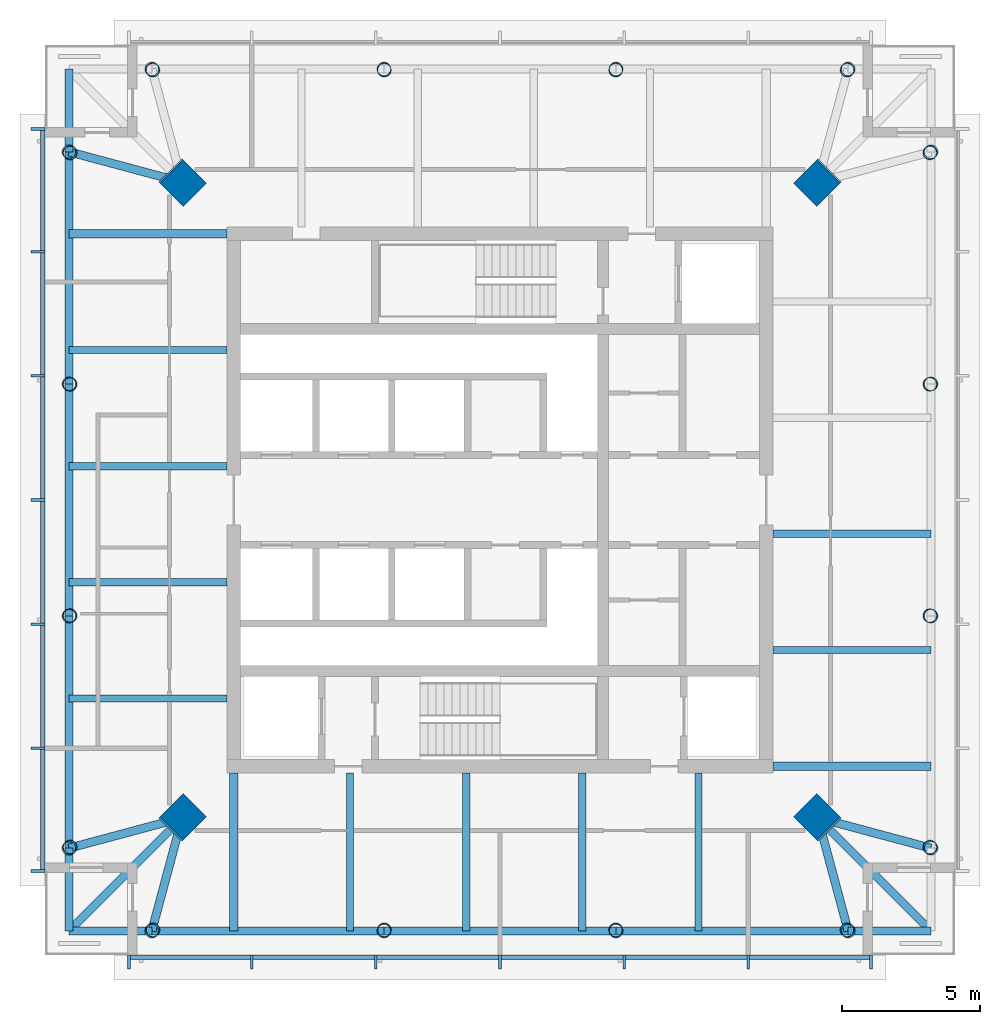
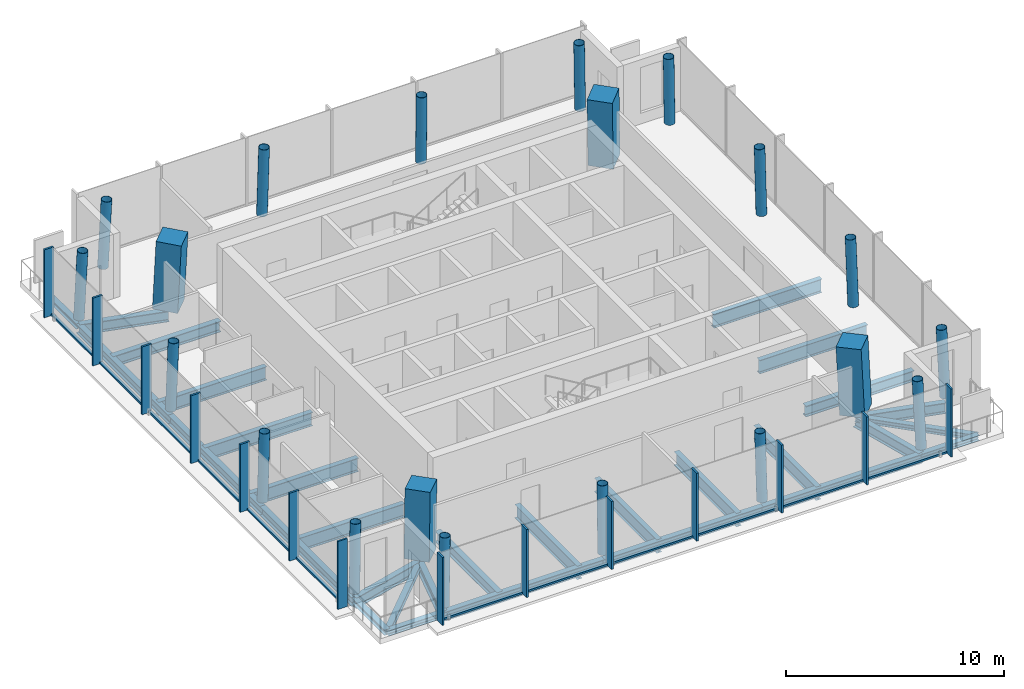
# One storey, part 1 of 8: 30 beams, 26 members, 20 columns, 2 elements without a shape of their own.
"""IFC4 building model written with IfcOpenShell, lengths in metres."""

from ifc_helpers import new_model, si_unit, direction, frame, origin, origin_2d, place, context, subcontext, project, spatial, rectangle, hollow_circle, i_section, extrude, material, material_profile, profile_set, type_object, element, aggregate, save


model = new_model("IFC4")

# Units and contexts
model_context = context("Model", 3, precision=1e-05, world=origin(), true_north=direction((0.0, 1.0)))
body_context = subcontext(model_context, "Body", "Model", "MODEL_VIEW")
ifc_project = project(units=[si_unit("LENGTHUNIT", "METRE"), si_unit("AREAUNIT", "SQUARE_METRE"), si_unit("VOLUMEUNIT", "CUBIC_METRE"), si_unit("PLANEANGLEUNIT", "RADIAN"), si_unit("MASSUNIT", "GRAM", prefix="KILO")], contexts=[model_context])

# Site, building, storey
site_placement = place(None, origin())
site = spatial("IfcSite", under=ifc_project, at=site_placement, CompositionType="ELEMENT")
building_placement = place(site_placement, origin())
building = spatial("IfcBuilding", under=site, at=building_placement, Name="Ostroluk Exchange", CompositionType="ELEMENT")
storey_placement = place(building_placement, frame((0.0, 0.0, 283.199951171875)))
storey = spatial("IfcBuildingStorey", under=building, at=storey_placement, Name="L73", CompositionType="ELEMENT", Elevation=283.199951171875)

# Columns
ifc_material_1 = material(Name="Concrete C50/60", Category="concrete")
ifc_material_profile_1 = material_profile(ifc_material_1, rectangle(XDim=1.199951171875, YDim=1.199951171875, at=origin_2d()), Name="RC 1200x1200")
ifc_profile_set_1 = profile_set([ifc_material_profile_1], Name="Concrete C50/60")
column_type_1 = type_object("IfcColumnType", Name="Mega column RC 1200x1200", PredefinedType="COLUMN", material=ifc_profile_set_1)
for number, where, z_axis, x_axis, name in (
    (1, (56.521484375, 57.521484375, 0.0), (-0.031962158256, -0.031962158256, 0.998977898093), (0.707106781187, -0.707106781187, 0.0), "T1 mega column NE"),
    (2, (33.478515625, 57.521484375, 0.0), (0.031962158256, -0.031962158256, 0.998977898093), (0.707106781187, 0.707106781187, 0.0), "T1 mega column NW"),
    (3, (33.478515625, 34.478515625, 0.0), (0.031962158256, 0.031962158256, 0.998977898093), (-0.707106781187, 0.707106781187, 0.0), "T1 mega column SW"),
    (4, (56.521484375, 34.478515625, 0.0), (-0.031962158256, 0.031962158256, 0.998977898093), (-0.707106781187, -0.707106781187, 0.0), "T1 mega column SE"),
):
    element("IfcColumn", number, at=place(storey_placement, frame(where, z_axis=z_axis, x_axis=x_axis)), inside=storey, type_object=column_type_1, Name=name, PredefinedType="COLUMN", context=body_context, shape_type="SweptSolid", body=[
        extrude(rectangle(XDim=1.199951171875, YDim=1.199951171875, at=origin_2d()), origin(), (0.0, 0.0, 1.0), 3.803955078125),
    ])
ifc_material_2 = material(Name="Steel S460", Category="steel")
ifc_material_profile_2 = material_profile(ifc_material_2, hollow_circle(Radius=0.25390625, WallThickness=0.02001953125, at=origin_2d()), Name="CHS 508x20")
ifc_profile_set_2 = profile_set([ifc_material_profile_2], Name="Steel S460")
column_type_2 = type_object("IfcColumnType", Name="Perimeter column CHS 508x20", PredefinedType="COLUMN", material=ifc_profile_set_2)
for number, where, z_axis, x_axis, name in (
    (5, (60.621337890625, 33.378662109375, 0.0), (-0.031898107953, 0.031898107953, 0.998981992539), (-0.707106781187, -0.707106781187, 0.0), "T1 east face column E0"),
    (6, (60.621337890625, 58.621337890625, 0.0), (-0.031898107953, -0.031898107953, 0.998981992539), (0.707106781187, -0.707106781187, 0.0), "T1 east face column E1"),
):
    element("IfcColumn", number, at=place(storey_placement, frame(where, z_axis=z_axis, x_axis=x_axis)), inside=storey, type_object=column_type_2, Name=name, PredefinedType="COLUMN", context=body_context, shape_type="SweptSolid", body=[
        extrude(hollow_circle(Radius=0.25390625, WallThickness=0.02001953125, at=origin_2d()), origin(), (0.0, 0.0, 1.0), 3.803955078125),
    ])
for number, where, z_axis, x_axis, name in (
    (7, (60.621337890625, 41.79296875, 0.0), (-0.031912557129, 0.010594712125, 0.999434510497), (-0.315081783451, -0.949064523485, 0.0), "T1 east face column I1"),
    (8, (60.621337890625, 50.20703125, 0.0), (-0.031912557129, -0.010594712125, 0.999434510497), (0.315081783451, -0.949064523485, 0.0), "T1 east face column I2"),
):
    element("IfcColumn", number, at=place(storey_placement, frame(where, z_axis=z_axis, x_axis=x_axis)), inside=storey, type_object=column_type_2, Name=name, PredefinedType="COLUMN", context=body_context, shape_type="SweptSolid", body=[
        extrude(hollow_circle(Radius=0.25390625, WallThickness=0.02001953125, at=origin_2d()), origin(), (0.0, 0.0, 1.0), 3.80224609375),
    ])
for number, where, z_axis, x_axis, name in (
    (9, (57.621337890625, 61.621337890625, 0.0), (-0.031898107953, -0.031898107953, 0.998981992539), (0.707106781187, -0.707106781187, 0.0), "T1 north face column E0"),
    (10, (32.378662109375, 61.621337890625, 0.0), (0.031898107953, -0.031898107953, 0.998981992539), (0.707106781187, 0.707106781187, 0.0), "T1 north face column E1"),
):
    element("IfcColumn", number, at=place(storey_placement, frame(where, z_axis=z_axis, x_axis=x_axis)), inside=storey, type_object=column_type_2, Name=name, PredefinedType="COLUMN", context=body_context, shape_type="SweptSolid", body=[
        extrude(hollow_circle(Radius=0.25390625, WallThickness=0.02001953125, at=origin_2d()), origin(), (0.0, 0.0, 1.0), 3.803955078125),
    ])
for number, where, z_axis, x_axis, name in (
    (11, (49.20703125, 61.621337890625, 0.0), (-0.010594712125, -0.031912557129, 0.999434510497), (0.949064523485, -0.315081783451, 0.0), "T1 north face column I1"),
    (12, (40.79296875, 61.621337890625, 0.0), (0.010594712125, -0.031912557129, 0.999434510497), (0.949064523485, 0.315081783451, 0.0), "T1 north face column I2"),
):
    element("IfcColumn", number, at=place(storey_placement, frame(where, z_axis=z_axis, x_axis=x_axis)), inside=storey, type_object=column_type_2, Name=name, PredefinedType="COLUMN", context=body_context, shape_type="SweptSolid", body=[
        extrude(hollow_circle(Radius=0.25390625, WallThickness=0.02001953125, at=origin_2d()), origin(), (0.0, 0.0, 1.0), 3.80224609375),
    ])
for number, where, z_axis, x_axis, name in (
    (13, (29.378662109375, 58.621337890625, 0.0), (0.031898107953, -0.031898107953, 0.998981992539), (0.707106781187, 0.707106781187, 0.0), "T1 west face column E0"),
    (14, (29.378662109375, 33.378662109375, 0.0), (0.031898107953, 0.031898107953, 0.998981992539), (-0.707106781187, 0.707106781187, 0.0), "T1 west face column E1"),
):
    element("IfcColumn", number, at=place(storey_placement, frame(where, z_axis=z_axis, x_axis=x_axis)), inside=storey, type_object=column_type_2, Name=name, PredefinedType="COLUMN", context=body_context, shape_type="SweptSolid", body=[
        extrude(hollow_circle(Radius=0.25390625, WallThickness=0.02001953125, at=origin_2d()), origin(), (0.0, 0.0, 1.0), 3.803955078125),
    ])
for number, where, z_axis, x_axis, name in (
    (15, (29.378662109375, 50.20703125, 0.0), (0.031912557129, -0.010594712125, 0.999434510497), (0.315081783451, 0.949064523485, 0.0), "T1 west face column I1"),
    (16, (29.378662109375, 41.79296875, 0.0), (0.031912557129, 0.010594712125, 0.999434510497), (-0.315081783451, 0.949064523485, 0.0), "T1 west face column I2"),
):
    element("IfcColumn", number, at=place(storey_placement, frame(where, z_axis=z_axis, x_axis=x_axis)), inside=storey, type_object=column_type_2, Name=name, PredefinedType="COLUMN", context=body_context, shape_type="SweptSolid", body=[
        extrude(hollow_circle(Radius=0.25390625, WallThickness=0.02001953125, at=origin_2d()), origin(), (0.0, 0.0, 1.0), 3.80224609375),
    ])
for number, where, z_axis, x_axis, name in (
    (17, (32.378662109375, 30.378662109375, 0.0), (0.031898107953, 0.031898107953, 0.998981992539), (-0.707106781187, 0.707106781187, 0.0), "T1 south face column E0"),
    (18, (57.621337890625, 30.378662109375, 0.0), (-0.031898107953, 0.031898107953, 0.998981992539), (-0.707106781187, -0.707106781187, 0.0), "T1 south face column E1"),
):
    element("IfcColumn", number, at=place(storey_placement, frame(where, z_axis=z_axis, x_axis=x_axis)), inside=storey, type_object=column_type_2, Name=name, PredefinedType="COLUMN", context=body_context, shape_type="SweptSolid", body=[
        extrude(hollow_circle(Radius=0.25390625, WallThickness=0.02001953125, at=origin_2d()), origin(), (0.0, 0.0, 1.0), 3.803955078125),
    ])
for number, where, z_axis, x_axis, name in (
    (19, (40.79296875, 30.378662109375, 0.0), (0.010594712125, 0.031912557129, 0.999434510497), (-0.949064523485, 0.315081783451, 0.0), "T1 south face column I1"),
    (20, (49.20703125, 30.378662109375, 0.0), (-0.010594712125, 0.031912557129, 0.999434510497), (-0.949064523485, -0.315081783451, 0.0), "T1 south face column I2"),
):
    element("IfcColumn", number, at=place(storey_placement, frame(where, z_axis=z_axis, x_axis=x_axis)), inside=storey, type_object=column_type_2, Name=name, PredefinedType="COLUMN", context=body_context, shape_type="SweptSolid", body=[
        extrude(hollow_circle(Radius=0.25390625, WallThickness=0.02001953125, at=origin_2d()), origin(), (0.0, 0.0, 1.0), 3.80224609375),
    ])

# Beams
ifc_material_3 = material(Name="Steel S355", Category="steel")
ifc_material_profile_3 = material_profile(ifc_material_3, i_section(OverallWidth=0.300048828125, OverallDepth=0.300048828125, WebThickness=0.010986328125, FlangeThickness=0.01904296875, FilletRadius=0.027099609375, at=origin_2d()), Name="HEB 300")
ifc_profile_set_3 = profile_set([ifc_material_profile_3], Name="Steel S355")
beam_type_1 = type_object("IfcBeamType", Name="Balcony beam HEB 300", PredefinedType="BEAM", material=ifc_profile_set_3)
for number, where, z_axis, x_axis, name in (
    (21, (29.378662109375, 58.621337890625, -0.449951171875), (0.0, 1.0, 0.0), (-1.0, 0.0, 0.0), "T1 north balcony beam b"),
    (22, (29.378662109375, 33.378662109375, -0.449951171875), (0.0, -1.0, 0.0), (1.0, 0.0, 0.0), "T1 west balcony beam a"),
    (23, (32.378662109375, 30.378662109375, -0.449951171875), (-1.0, 0.0, 0.0), (0.0, -1.0, 0.0), "T1 west balcony beam b"),
):
    element("IfcBeam", number, at=place(storey_placement, frame(where, z_axis=z_axis, x_axis=x_axis)), inside=storey, type_object=beam_type_1, Name=name, PredefinedType="BEAM", context=body_context, shape_type="SweptSolid", body=[
        extrude(i_section(OverallWidth=0.300048828125, OverallDepth=0.300048828125, WebThickness=0.010986328125, FlangeThickness=0.01904296875, FilletRadius=0.027099609375, at=origin_2d()), origin(), (0.0, 0.0, 1.0), 3.0),
    ])
beam_1_placement = place(storey_placement, frame((33.478515625, 34.478515625, -0.449951171875), z_axis=(-0.707106781187, -0.707106781187, 0.0), x_axis=(0.707106781187, -0.707106781187, 0.0)))
element("IfcBeam", 24, at=beam_1_placement, inside=storey, type_object=beam_type_1, Name="T1 west balcony beam c", PredefinedType="BEAM", context=body_context, shape_type="SweptSolid", body=[
    extrude(i_section(OverallWidth=0.300048828125, OverallDepth=0.300048828125, WebThickness=0.010986328125, FlangeThickness=0.01904296875, FilletRadius=0.027099609375, at=origin_2d()), origin(), (0.0, 0.0, 1.0), 5.798095703125),
])
beam_2_placement = place(storey_placement, frame((57.621337890625, 30.378662109375, -0.449951171875), z_axis=(1.0, 0.0, 0.0), x_axis=(0.0, 1.0, 0.0)))
element("IfcBeam", 25, at=beam_2_placement, inside=storey, type_object=beam_type_1, Name="T1 south balcony beam a", PredefinedType="BEAM", context=body_context, shape_type="SweptSolid", body=[
    extrude(i_section(OverallWidth=0.300048828125, OverallDepth=0.300048828125, WebThickness=0.010986328125, FlangeThickness=0.01904296875, FilletRadius=0.027099609375, at=origin_2d()), origin(), (0.0, 0.0, 1.0), 3.0),
])
beam_3_placement = place(storey_placement, frame((56.521484375, 34.478515625, -0.449951171875), z_axis=(0.707106781187, -0.707106781187, 0.0), x_axis=(0.707106781187, 0.707106781187, 0.0)))
element("IfcBeam", 26, at=beam_3_placement, inside=storey, type_object=beam_type_1, Name="T1 south balcony beam c", PredefinedType="BEAM", context=body_context, shape_type="SweptSolid", body=[
    extrude(i_section(OverallWidth=0.300048828125, OverallDepth=0.300048828125, WebThickness=0.010986328125, FlangeThickness=0.01904296875, FilletRadius=0.027099609375, at=origin_2d()), origin(), (0.0, 0.0, 1.0), 5.798095703125),
])
ifc_material_4 = material(Name="Steel S355", Category="steel")
ifc_material_profile_4 = material_profile(ifc_material_4, i_section(OverallWidth=0.300048828125, OverallDepth=0.60009765625, WebThickness=0.015380859375, FlangeThickness=0.030029296875, FilletRadius=0.027099609375, at=origin_2d()), Name="HEB 600")
ifc_profile_set_4 = profile_set([ifc_material_profile_4], Name="Steel S355")
beam_type_2 = type_object("IfcBeamType", Name="Corner edge beam HEB 600", PredefinedType="SPANDREL", material=ifc_profile_set_4)
for number, where, z_axis, x_axis, name in (
    (27, (33.478515625, 57.521484375, -0.599853515625), (-0.965849156574, 0.259105011038, 0.0), (-0.259105011038, -0.965849156574, 0.0), "T1 north corner edge beam b"),
    (28, (33.478515625, 34.478515625, -0.599853515625), (-0.965849156574, -0.259105011038, 0.0), (0.259105011038, -0.965849156574, 0.0), "T1 west corner edge beam a"),
    (29, (33.478515625, 34.478515625, -0.599853515625), (-0.259105011038, -0.965849156574, 0.0), (0.965849156574, -0.259105011038, 0.0), "T1 west corner edge beam b"),
    (30, (56.521484375, 34.478515625, -0.599853515625), (0.259105011038, -0.965849156574, 0.0), (0.965849156574, 0.259105011038, 0.0), "T1 south corner edge beam a"),
    (31, (56.521484375, 34.478515625, -0.599853515625), (0.965849156574, -0.259105011038, 0.0), (0.259105011038, 0.965849156574, 0.0), "T1 south corner edge beam b"),
):
    element("IfcBeam", number, at=place(storey_placement, frame(where, z_axis=z_axis, x_axis=x_axis)), inside=storey, type_object=beam_type_2, Name=name, PredefinedType="SPANDREL", context=body_context, shape_type="SweptSolid", body=[
        extrude(i_section(OverallWidth=0.300048828125, OverallDepth=0.60009765625, WebThickness=0.015380859375, FlangeThickness=0.030029296875, FilletRadius=0.027099609375, at=origin_2d()), origin(), (0.0, 0.0, 1.0), 4.244873046875),
    ])
ifc_material_5 = material(Name="Steel S355", Category="steel")
ifc_material_profile_5 = material_profile(ifc_material_5, i_section(OverallWidth=0.264892578125, OverallDepth=0.7529296875, WebThickness=0.01318359375, FlangeThickness=0.01708984375, FilletRadius=0.01708984375, at=origin_2d()), Name="IPE 750x147")
ifc_profile_set_5 = profile_set([ifc_material_profile_5], Name="Steel S355")
beam_type_3 = type_object("IfcBeamType", Name="Floor beam IPE 750x147", PredefinedType="BEAM", material=ifc_profile_set_5)
for number, where, z_axis, x_axis, name in (
    (32, (54.89990234375, 40.56201171875, -0.676513671875), (1.0, 0.0, 0.0), (0.0, 1.0, 0.0), "T1 east floor beam 1"),
    (33, (54.89990234375, 44.77392578125, -0.676513671875), (1.0, 0.0, 0.0), (0.0, 1.0, 0.0), "T1 east floor beam 2"),
    (34, (35.10009765625, 51.43798828125, -0.676513671875), (-1.0, 0.0, 0.0), (0.0, -1.0, 0.0), "T1 west floor beam 1"),
    (35, (35.10009765625, 47.22607421875, -0.676513671875), (-1.0, 0.0, 0.0), (0.0, -1.0, 0.0), "T1 west floor beam 2"),
    (36, (35.10009765625, 43.014404296875, -0.676513671875), (-1.0, 0.0, 0.0), (0.0, -1.0, 0.0), "T1 west floor beam 3"),
    (37, (35.10009765625, 38.802490234375, -0.676513671875), (-1.0, 0.0, 0.0), (0.0, -1.0, 0.0), "T1 west floor beam 4"),
    (38, (39.56201171875, 36.10009765625, -0.676513671875), (0.0, -1.0, 0.0), (1.0, 0.0, 0.0), "T1 south floor beam 1"),
    (39, (43.77392578125, 36.10009765625, -0.676513671875), (0.0, -1.0, 0.0), (1.0, 0.0, 0.0), "T1 south floor beam 2"),
    (40, (47.985595703125, 36.10009765625, -0.676513671875), (0.0, -1.0, 0.0), (1.0, 0.0, 0.0), "T1 south floor beam 3"),
    (41, (52.197509765625, 36.10009765625, -0.676513671875), (0.0, -1.0, 0.0), (1.0, 0.0, 0.0), "T1 south floor beam 4"),
):
    element("IfcBeam", number, at=place(storey_placement, frame(where, z_axis=z_axis, x_axis=x_axis)), inside=storey, type_object=beam_type_3, Name=name, PredefinedType="BEAM", context=body_context, shape_type="SweptSolid", body=[
        extrude(i_section(OverallWidth=0.264892578125, OverallDepth=0.7529296875, WebThickness=0.01318359375, FlangeThickness=0.01708984375, FilletRadius=0.01708984375, at=origin_2d()), origin(), (0.0, 0.0, 1.0), 5.721435546875),
    ])
ifc_material_6 = material(Name="Steel S355", Category="steel")
ifc_material_profile_6 = material_profile(ifc_material_6, i_section(OverallWidth=0.300048828125, OverallDepth=0.60009765625, WebThickness=0.015380859375, FlangeThickness=0.030029296875, FilletRadius=0.027099609375, at=origin_2d()), Name="HEB 600")
ifc_profile_set_6 = profile_set([ifc_material_profile_6], Name="Steel S355")
beam_type_4 = type_object("IfcBeamType", Name="Girder HEB 600", PredefinedType="BEAM", material=ifc_profile_set_6)
for number, where, z_axis, x_axis, name in (
    (42, (35.10009765625, 55.64990234375, -0.599853515625), (-1.0, 0.0, 0.0), (0.0, -1.0, 0.0), "T1 north girder"),
    (43, (35.35009765625, 36.10009765625, -0.599853515625), (0.0, -1.0, 0.0), (1.0, 0.0, 0.0), "T1 west girder"),
    (44, (54.89990234375, 36.35009765625, -0.599853515625), (1.0, 0.0, 0.0), (0.0, 1.0, 0.0), "T1 south girder"),
):
    element("IfcBeam", number, at=place(storey_placement, frame(where, z_axis=z_axis, x_axis=x_axis)), inside=storey, type_object=beam_type_4, Name=name, PredefinedType="BEAM", context=body_context, shape_type="SweptSolid", body=[
        extrude(i_section(OverallWidth=0.300048828125, OverallDepth=0.60009765625, WebThickness=0.015380859375, FlangeThickness=0.030029296875, FilletRadius=0.027099609375, at=origin_2d()), origin(), (0.0, 0.0, 1.0), 5.721435546875),
    ])
ifc_material_7 = material(Name="Steel S355", Category="steel")
ifc_material_profile_7 = material_profile(ifc_material_7, i_section(OverallWidth=0.300048828125, OverallDepth=0.5, WebThickness=0.014404296875, FlangeThickness=0.028076171875, FilletRadius=0.027099609375, at=origin_2d()), Name="HEB 500")
ifc_profile_set_7 = profile_set([ifc_material_profile_7], Name="Steel S355")
beam_type_5 = type_object("IfcBeamType", Name="Moment-connected edge beam HEB 500", PredefinedType="SPANDREL", material=ifc_profile_set_7)
beam_4_placement = place(storey_placement, frame((29.378662109375, 58.621337890625, -0.550048828125), z_axis=(0.0, -1.0, 0.0), x_axis=(1.0, 0.0, 0.0)))
element("IfcBeam", 45, at=beam_4_placement, inside=storey, type_object=beam_type_5, Name="T1 west edge beam 1", PredefinedType="SPANDREL", context=body_context, shape_type="SweptSolid", body=[
    extrude(i_section(OverallWidth=0.300048828125, OverallDepth=0.5, WebThickness=0.014404296875, FlangeThickness=0.028076171875, FilletRadius=0.027099609375, at=origin_2d()), origin(), (0.0, 0.0, 1.0), 8.414306640625),
])
beam_5_placement = place(storey_placement, frame((29.378662109375, 50.20703125, -0.550048828125), z_axis=(0.0, -1.0, 0.0), x_axis=(1.0, 0.0, 0.0)))
element("IfcBeam", 46, at=beam_5_placement, inside=storey, type_object=beam_type_5, Name="T1 west edge beam 2", PredefinedType="SPANDREL", context=body_context, shape_type="SweptSolid", body=[
    extrude(i_section(OverallWidth=0.300048828125, OverallDepth=0.5, WebThickness=0.014404296875, FlangeThickness=0.028076171875, FilletRadius=0.027099609375, at=origin_2d()), origin(), (0.0, 0.0, 1.0), 8.4140625),
])
for number, where, z_axis, x_axis, name in (
    (47, (29.378662109375, 41.79296875, -0.550048828125), (0.0, -1.0, 0.0), (1.0, 0.0, 0.0), "T1 west edge beam 3"),
    (48, (32.378662109375, 30.378662109375, -0.550048828125), (1.0, 0.0, 0.0), (0.0, 1.0, 0.0), "T1 south edge beam 1"),
):
    element("IfcBeam", number, at=place(storey_placement, frame(where, z_axis=z_axis, x_axis=x_axis)), inside=storey, type_object=beam_type_5, Name=name, PredefinedType="SPANDREL", context=body_context, shape_type="SweptSolid", body=[
        extrude(i_section(OverallWidth=0.300048828125, OverallDepth=0.5, WebThickness=0.014404296875, FlangeThickness=0.028076171875, FilletRadius=0.027099609375, at=origin_2d()), origin(), (0.0, 0.0, 1.0), 8.414306640625),
    ])
beam_6_placement = place(storey_placement, frame((40.79296875, 30.378662109375, -0.550048828125), z_axis=(1.0, 0.0, 0.0), x_axis=(0.0, 1.0, 0.0)))
element("IfcBeam", 49, at=beam_6_placement, inside=storey, type_object=beam_type_5, Name="T1 south edge beam 2", PredefinedType="SPANDREL", context=body_context, shape_type="SweptSolid", body=[
    extrude(i_section(OverallWidth=0.300048828125, OverallDepth=0.5, WebThickness=0.014404296875, FlangeThickness=0.028076171875, FilletRadius=0.027099609375, at=origin_2d()), origin(), (0.0, 0.0, 1.0), 8.4140625),
])
beam_7_placement = place(storey_placement, frame((49.20703125, 30.378662109375, -0.550048828125), z_axis=(1.0, 0.0, 0.0), x_axis=(0.0, 1.0, 0.0)))
element("IfcBeam", 50, at=beam_7_placement, inside=storey, type_object=beam_type_5, Name="T1 south edge beam 3", PredefinedType="SPANDREL", context=body_context, shape_type="SweptSolid", body=[
    extrude(i_section(OverallWidth=0.300048828125, OverallDepth=0.5, WebThickness=0.014404296875, FlangeThickness=0.028076171875, FilletRadius=0.027099609375, at=origin_2d()), origin(), (0.0, 0.0, 1.0), 8.414306640625),
])

# Curtain wall, members
ifc_material_8 = material(Name="Laminated clear glass", Category="glass")
curtain_wall_type = type_object("IfcCurtainWallType", Name="Sky garden and observation glazing", PredefinedType="USERDEFINED", material=ifc_material_8)
curtain_wall_1_placement = place(storey_placement, origin())
curtain_wall_1 = element("IfcCurtainWall", 51, at=curtain_wall_1_placement, inside=storey, type_object=curtain_wall_type, Name="Office tower south facade L73", ObjectType="STRUCTURAL GLAZING", PredefinedType="USERDEFINED")
ifc_material_9 = material(Name="Aluminium mullion", Category="aluminium")
ifc_material_profile_8 = material_profile(ifc_material_9, rectangle(XDim=0.14990234375, YDim=0.10009765625, at=origin_2d()), Name="Sill transom 100 x 150")
ifc_profile_set_8 = profile_set([ifc_material_profile_8], Name="Aluminium mullion")
member_type_1 = type_object("IfcMemberType", Name="Sill transom 100 x 150", PredefinedType="USERDEFINED", material=ifc_profile_set_8)
member_1_placement = place(storey_placement, frame((31.60009765625, 29.425048828125, 0.050048828125), z_axis=(1.0, 0.0, 0.0), x_axis=(0.0, 1.0, 0.0)))
member_1 = element("IfcMember", 52, at=member_1_placement, type_object=member_type_1, Name="CW-S1 transom 1.1", ObjectType="TRANSOM", PredefinedType="USERDEFINED", context=body_context, shape_type="SweptSolid", body=[
    extrude(rectangle(XDim=0.14990234375, YDim=0.10009765625, at=origin_2d()), origin(), (0.0, 0.0, 1.0), 4.349853515625),
])
member_2_placement = place(storey_placement, frame((36.050048828125, 29.425048828125, 0.050048828125), z_axis=(1.0, 0.0, 0.0), x_axis=(0.0, 1.0, 0.0)))
member_2 = element("IfcMember", 53, at=member_2_placement, type_object=member_type_1, Name="CW-S1 transom 2.1", ObjectType="TRANSOM", PredefinedType="USERDEFINED", context=body_context, shape_type="SweptSolid", body=[
    extrude(rectangle(XDim=0.14990234375, YDim=0.10009765625, at=origin_2d()), origin(), (0.0, 0.0, 1.0), 4.39990234375),
])
member_3_placement = place(storey_placement, frame((40.550048828125, 29.425048828125, 0.050048828125), z_axis=(1.0, 0.0, 0.0), x_axis=(0.0, 1.0, 0.0)))
member_3 = element("IfcMember", 54, at=member_3_placement, type_object=member_type_1, Name="CW-S1 transom 3.1", ObjectType="TRANSOM", PredefinedType="USERDEFINED", context=body_context, shape_type="SweptSolid", body=[
    extrude(rectangle(XDim=0.14990234375, YDim=0.10009765625, at=origin_2d()), origin(), (0.0, 0.0, 1.0), 4.39990234375),
])
member_4_placement = place(storey_placement, frame((45.050048828125, 29.425048828125, 0.050048828125), z_axis=(1.0, 0.0, 0.0), x_axis=(0.0, 1.0, 0.0)))
member_4 = element("IfcMember", 55, at=member_4_placement, type_object=member_type_1, Name="CW-S1 transom 4.1", ObjectType="TRANSOM", PredefinedType="USERDEFINED", context=body_context, shape_type="SweptSolid", body=[
    extrude(rectangle(XDim=0.14990234375, YDim=0.10009765625, at=origin_2d()), origin(), (0.0, 0.0, 1.0), 4.39990234375),
])
member_5_placement = place(storey_placement, frame((49.550048828125, 29.425048828125, 0.050048828125), z_axis=(1.0, 0.0, 0.0), x_axis=(0.0, 1.0, 0.0)))
member_5 = element("IfcMember", 56, at=member_5_placement, type_object=member_type_1, Name="CW-S1 transom 5.1", ObjectType="TRANSOM", PredefinedType="USERDEFINED", context=body_context, shape_type="SweptSolid", body=[
    extrude(rectangle(XDim=0.14990234375, YDim=0.10009765625, at=origin_2d()), origin(), (0.0, 0.0, 1.0), 4.39990234375),
])
member_6_placement = place(storey_placement, frame((54.050048828125, 29.425048828125, 0.050048828125), z_axis=(1.0, 0.0, 0.0), x_axis=(0.0, 1.0, 0.0)))
member_6 = element("IfcMember", 57, at=member_6_placement, type_object=member_type_1, Name="CW-S1 transom 6.1", ObjectType="TRANSOM", PredefinedType="USERDEFINED", context=body_context, shape_type="SweptSolid", body=[
    extrude(rectangle(XDim=0.14990234375, YDim=0.10009765625, at=origin_2d()), origin(), (0.0, 0.0, 1.0), 4.349853515625),
])

curtain_wall_2_placement = place(storey_placement, origin())
curtain_wall_2 = element("IfcCurtainWall", 58, at=curtain_wall_2_placement, inside=storey, type_object=curtain_wall_type, Name="Office tower west facade L73", ObjectType="STRUCTURAL GLAZING", PredefinedType="USERDEFINED")
member_7_placement = place(storey_placement, frame((28.425048828125, 59.39990234375, 0.050048828125), z_axis=(0.0, -1.0, 0.0), x_axis=(1.0, 0.0, 0.0)))
member_7 = element("IfcMember", 59, at=member_7_placement, type_object=member_type_1, Name="CW-S1 transom 1.1", ObjectType="TRANSOM", PredefinedType="USERDEFINED", context=body_context, shape_type="SweptSolid", body=[
    extrude(rectangle(XDim=0.14990234375, YDim=0.10009765625, at=origin_2d()), origin(), (0.0, 0.0, 1.0), 4.349853515625),
])
member_8_placement = place(storey_placement, frame((28.425048828125, 54.949951171875, 0.050048828125), z_axis=(0.0, -1.0, 0.0), x_axis=(1.0, 0.0, 0.0)))
member_8 = element("IfcMember", 60, at=member_8_placement, type_object=member_type_1, Name="CW-S1 transom 2.1", ObjectType="TRANSOM", PredefinedType="USERDEFINED", context=body_context, shape_type="SweptSolid", body=[
    extrude(rectangle(XDim=0.14990234375, YDim=0.10009765625, at=origin_2d()), origin(), (0.0, 0.0, 1.0), 4.39990234375),
])
member_9_placement = place(storey_placement, frame((28.425048828125, 50.449951171875, 0.050048828125), z_axis=(0.0, -1.0, 0.0), x_axis=(1.0, 0.0, 0.0)))
member_9 = element("IfcMember", 61, at=member_9_placement, type_object=member_type_1, Name="CW-S1 transom 3.1", ObjectType="TRANSOM", PredefinedType="USERDEFINED", context=body_context, shape_type="SweptSolid", body=[
    extrude(rectangle(XDim=0.14990234375, YDim=0.10009765625, at=origin_2d()), origin(), (0.0, 0.0, 1.0), 4.39990234375),
])
member_10_placement = place(storey_placement, frame((28.425048828125, 45.949951171875, 0.050048828125), z_axis=(0.0, -1.0, 0.0), x_axis=(1.0, 0.0, 0.0)))
member_10 = element("IfcMember", 62, at=member_10_placement, type_object=member_type_1, Name="CW-S1 transom 4.1", ObjectType="TRANSOM", PredefinedType="USERDEFINED", context=body_context, shape_type="SweptSolid", body=[
    extrude(rectangle(XDim=0.14990234375, YDim=0.10009765625, at=origin_2d()), origin(), (0.0, 0.0, 1.0), 4.39990234375),
])
member_11_placement = place(storey_placement, frame((28.425048828125, 41.449951171875, 0.050048828125), z_axis=(0.0, -1.0, 0.0), x_axis=(1.0, 0.0, 0.0)))
member_11 = element("IfcMember", 63, at=member_11_placement, type_object=member_type_1, Name="CW-S1 transom 5.1", ObjectType="TRANSOM", PredefinedType="USERDEFINED", context=body_context, shape_type="SweptSolid", body=[
    extrude(rectangle(XDim=0.14990234375, YDim=0.10009765625, at=origin_2d()), origin(), (0.0, 0.0, 1.0), 4.39990234375),
])
member_12_placement = place(storey_placement, frame((28.425048828125, 36.949951171875, 0.050048828125), z_axis=(0.0, -1.0, 0.0), x_axis=(1.0, 0.0, 0.0)))
member_12 = element("IfcMember", 64, at=member_12_placement, type_object=member_type_1, Name="CW-S1 transom 6.1", ObjectType="TRANSOM", PredefinedType="USERDEFINED", context=body_context, shape_type="SweptSolid", body=[
    extrude(rectangle(XDim=0.14990234375, YDim=0.10009765625, at=origin_2d()), origin(), (0.0, 0.0, 1.0), 4.349853515625),
])

# Member
ifc_material_10 = material(Name="Aluminium mullion with limestone facing", Category="masonry")
ifc_material_profile_9 = material_profile(ifc_material_10, rectangle(XDim=0.5, YDim=0.10009765625, at=origin_2d()), Name="Tracery mullion 100 x 500")
ifc_profile_set_9 = profile_set([ifc_material_profile_9], Name="Aluminium mullion with limestone facing")
member_type_2 = type_object("IfcMemberType", Name="Tracery mullion 100 x 500", PredefinedType="MULLION", material=ifc_profile_set_9)
member_13_placement = place(storey_placement, frame((31.550048828125, 29.25, 0.0), z_axis=(0.0, 0.0, 1.0), x_axis=(0.0, 1.0, 0.0)))
member_13 = element("IfcMember", 65, at=member_13_placement, type_object=member_type_2, Name="CW-S1 mullion 1", PredefinedType="MULLION", context=body_context, shape_type="SweptSolid", body=[
    extrude(rectangle(XDim=0.5, YDim=0.10009765625, at=origin_2d()), origin(), (0.0, 0.0, 1.0), 3.800048828125),
])

member_14_placement = place(storey_placement, frame((36.0, 29.25, 0.0), z_axis=(0.0, 0.0, 1.0), x_axis=(0.0, 1.0, 0.0)))
member_14 = element("IfcMember", 66, at=member_14_placement, type_object=member_type_2, Name="CW-S1 mullion 2", PredefinedType="MULLION", context=body_context, shape_type="SweptSolid", body=[
    extrude(rectangle(XDim=0.5, YDim=0.10009765625, at=origin_2d()), origin(), (0.0, 0.0, 1.0), 3.800048828125),
])

member_15_placement = place(storey_placement, frame((40.5, 29.25, 0.0), z_axis=(0.0, 0.0, 1.0), x_axis=(0.0, 1.0, 0.0)))
member_15 = element("IfcMember", 67, at=member_15_placement, type_object=member_type_2, Name="CW-S1 mullion 3", PredefinedType="MULLION", context=body_context, shape_type="SweptSolid", body=[
    extrude(rectangle(XDim=0.5, YDim=0.10009765625, at=origin_2d()), origin(), (0.0, 0.0, 1.0), 3.800048828125),
])

member_16_placement = place(storey_placement, frame((45.0, 29.25, 0.0), z_axis=(0.0, 0.0, 1.0), x_axis=(0.0, 1.0, 0.0)))
member_16 = element("IfcMember", 68, at=member_16_placement, type_object=member_type_2, Name="CW-S1 mullion 4", PredefinedType="MULLION", context=body_context, shape_type="SweptSolid", body=[
    extrude(rectangle(XDim=0.5, YDim=0.10009765625, at=origin_2d()), origin(), (0.0, 0.0, 1.0), 3.800048828125),
])

member_17_placement = place(storey_placement, frame((49.5, 29.25, 0.0), z_axis=(0.0, 0.0, 1.0), x_axis=(0.0, 1.0, 0.0)))
member_17 = element("IfcMember", 69, at=member_17_placement, type_object=member_type_2, Name="CW-S1 mullion 5", PredefinedType="MULLION", context=body_context, shape_type="SweptSolid", body=[
    extrude(rectangle(XDim=0.5, YDim=0.10009765625, at=origin_2d()), origin(), (0.0, 0.0, 1.0), 3.800048828125),
])

member_18_placement = place(storey_placement, frame((54.0, 29.25, 0.0), z_axis=(0.0, 0.0, 1.0), x_axis=(0.0, 1.0, 0.0)))
member_18 = element("IfcMember", 70, at=member_18_placement, type_object=member_type_2, Name="CW-S1 mullion 6", PredefinedType="MULLION", context=body_context, shape_type="SweptSolid", body=[
    extrude(rectangle(XDim=0.5, YDim=0.10009765625, at=origin_2d()), origin(), (0.0, 0.0, 1.0), 3.800048828125),
])

member_19_placement = place(storey_placement, frame((58.449951171875, 29.25, 0.0), z_axis=(0.0, 0.0, 1.0), x_axis=(0.0, 1.0, 0.0)))
member_19 = element("IfcMember", 71, at=member_19_placement, type_object=member_type_2, Name="CW-S1 mullion 7", PredefinedType="MULLION", context=body_context, shape_type="SweptSolid", body=[
    extrude(rectangle(XDim=0.5, YDim=0.10009765625, at=origin_2d()), origin(), (0.0, 0.0, 1.0), 3.800048828125),
])

aggregate(curtain_wall_1, [member_13, member_14, member_15, member_16, member_17, member_18, member_19, member_1, member_2, member_3, member_4, member_5, member_6])

member_20_placement = place(storey_placement, frame((28.25, 59.449951171875, 0.0), z_axis=(0.0, 0.0, 1.0), x_axis=(1.0, 0.0, 0.0)))
member_20 = element("IfcMember", 72, at=member_20_placement, type_object=member_type_2, Name="CW-S1 mullion 1", PredefinedType="MULLION", context=body_context, shape_type="SweptSolid", body=[
    extrude(rectangle(XDim=0.5, YDim=0.10009765625, at=origin_2d()), origin(), (0.0, 0.0, 1.0), 3.800048828125),
])

member_21_placement = place(storey_placement, frame((28.25, 55.0, 0.0), z_axis=(0.0, 0.0, 1.0), x_axis=(1.0, 0.0, 0.0)))
member_21 = element("IfcMember", 73, at=member_21_placement, type_object=member_type_2, Name="CW-S1 mullion 2", PredefinedType="MULLION", context=body_context, shape_type="SweptSolid", body=[
    extrude(rectangle(XDim=0.5, YDim=0.10009765625, at=origin_2d()), origin(), (0.0, 0.0, 1.0), 3.800048828125),
])

member_22_placement = place(storey_placement, frame((28.25, 50.5, 0.0), z_axis=(0.0, 0.0, 1.0), x_axis=(1.0, 0.0, 0.0)))
member_22 = element("IfcMember", 74, at=member_22_placement, type_object=member_type_2, Name="CW-S1 mullion 3", PredefinedType="MULLION", context=body_context, shape_type="SweptSolid", body=[
    extrude(rectangle(XDim=0.5, YDim=0.10009765625, at=origin_2d()), origin(), (0.0, 0.0, 1.0), 3.800048828125),
])

member_23_placement = place(storey_placement, frame((28.25, 46.0, 0.0), z_axis=(0.0, 0.0, 1.0), x_axis=(1.0, 0.0, 0.0)))
member_23 = element("IfcMember", 75, at=member_23_placement, type_object=member_type_2, Name="CW-S1 mullion 4", PredefinedType="MULLION", context=body_context, shape_type="SweptSolid", body=[
    extrude(rectangle(XDim=0.5, YDim=0.10009765625, at=origin_2d()), origin(), (0.0, 0.0, 1.0), 3.800048828125),
])

member_24_placement = place(storey_placement, frame((28.25, 41.5, 0.0), z_axis=(0.0, 0.0, 1.0), x_axis=(1.0, 0.0, 0.0)))
member_24 = element("IfcMember", 76, at=member_24_placement, type_object=member_type_2, Name="CW-S1 mullion 5", PredefinedType="MULLION", context=body_context, shape_type="SweptSolid", body=[
    extrude(rectangle(XDim=0.5, YDim=0.10009765625, at=origin_2d()), origin(), (0.0, 0.0, 1.0), 3.800048828125),
])

member_25_placement = place(storey_placement, frame((28.25, 37.0, 0.0), z_axis=(0.0, 0.0, 1.0), x_axis=(1.0, 0.0, 0.0)))
member_25 = element("IfcMember", 77, at=member_25_placement, type_object=member_type_2, Name="CW-S1 mullion 6", PredefinedType="MULLION", context=body_context, shape_type="SweptSolid", body=[
    extrude(rectangle(XDim=0.5, YDim=0.10009765625, at=origin_2d()), origin(), (0.0, 0.0, 1.0), 3.800048828125),
])

member_26_placement = place(storey_placement, frame((28.25, 32.550048828125, 0.0), z_axis=(0.0, 0.0, 1.0), x_axis=(1.0, 0.0, 0.0)))
member_26 = element("IfcMember", 78, at=member_26_placement, type_object=member_type_2, Name="CW-S1 mullion 7", PredefinedType="MULLION", context=body_context, shape_type="SweptSolid", body=[
    extrude(rectangle(XDim=0.5, YDim=0.10009765625, at=origin_2d()), origin(), (0.0, 0.0, 1.0), 3.800048828125),
])

aggregate(curtain_wall_2, [member_20, member_21, member_22, member_23, member_24, member_25, member_26, member_7, member_8, member_9, member_10, member_11, member_12])

save(model, "model.ifc")
